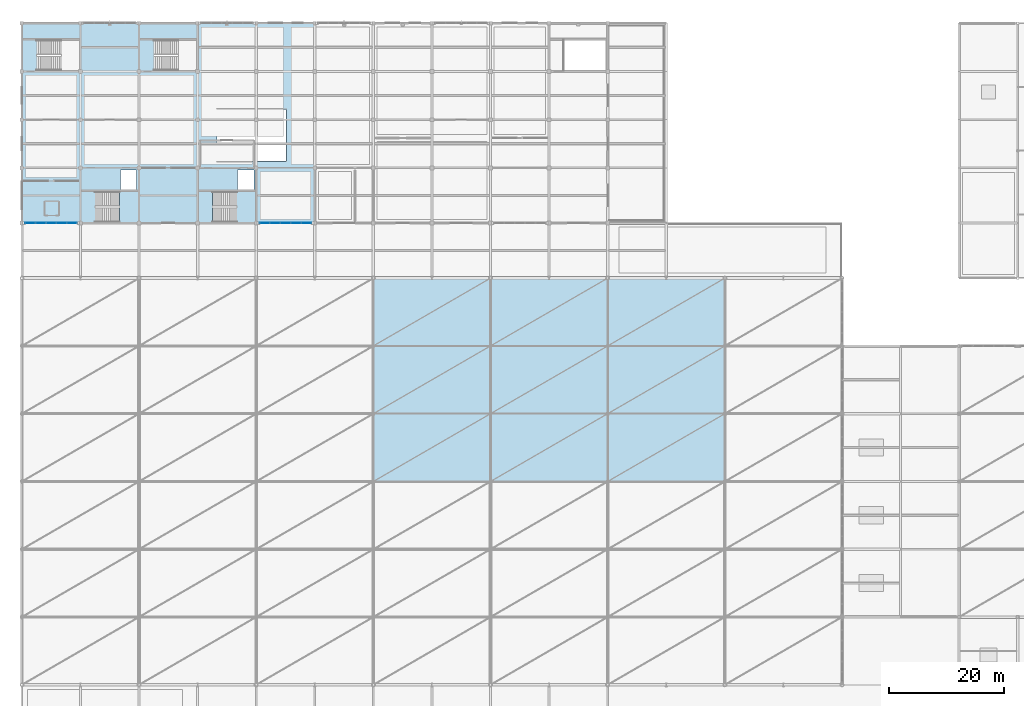
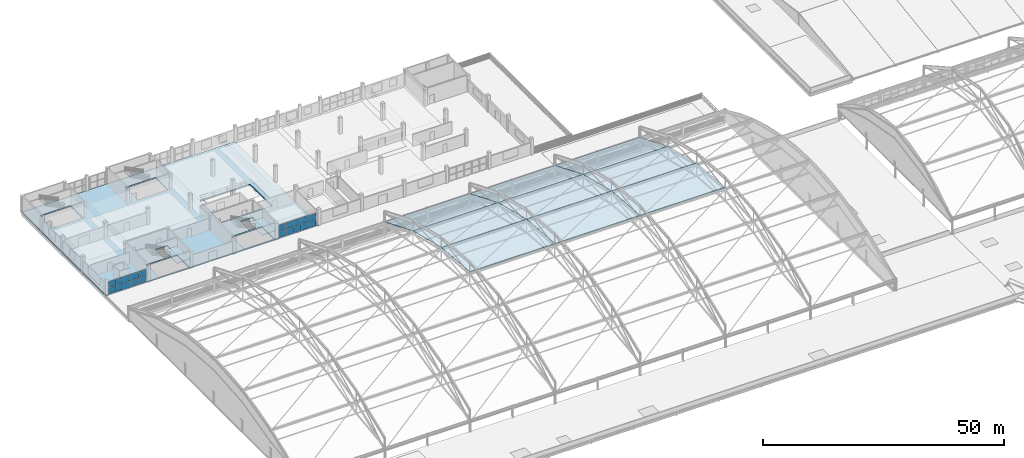
# One storey, part 108 of 135: 20 plates, 12 slabs, 4 elements without a shape of their own.
"""IFC4 building model written with IfcOpenShell, lengths in metres."""

from ifc_helpers import new_model, si_unit, direction, frame, origin, origin_2d, place, context, subcontext, project, spatial, polyline, rectangle, outline, extrude, material, layer, layer_set, type_object, element, aggregate, save


model = new_model("IFC4")

# Units and contexts
model_context = context("Model", 3, precision=1e-05, world=origin(), true_north=direction((0.0, 1.0)))
body_context = subcontext(model_context, "Body", "Model", "MODEL_VIEW")
ifc_project = project(units=[si_unit("LENGTHUNIT", "METRE"), si_unit("AREAUNIT", "SQUARE_METRE"), si_unit("VOLUMEUNIT", "CUBIC_METRE"), si_unit("PLANEANGLEUNIT", "RADIAN"), si_unit("MASSUNIT", "GRAM", prefix="KILO")], contexts=[model_context])

# Site, building, storey
site_placement = place(None, origin())
site = spatial("IfcSite", under=ifc_project, at=site_placement, CompositionType="ELEMENT")
building_placement = place(site_placement, origin())
building = spatial("IfcBuilding", under=site, at=building_placement, Name="Brelvane Convention Centre", CompositionType="ELEMENT")
storey_placement = place(building_placement, frame((0.0, 0.0, 15.0)))
storey = spatial("IfcBuildingStorey", under=building, at=storey_placement, Name="L03", CompositionType="ELEMENT", Elevation=15.0)

# Curtain wall, plates
ifc_material_1 = material(Name="Anodised Aluminium Alloy 6063-T6", Category="aluminium")
curtain_wall_type = type_object("IfcCurtainWallType", Name="Curtain Wall CW-COURT", PredefinedType="USERDEFINED", material=ifc_material_1)
curtain_wall_1_placement = place(storey_placement, origin())
curtain_wall_1 = element("IfcCurtainWall", 1, at=curtain_wall_1_placement, inside=storey, type_object=curtain_wall_type, Name="Curtain Wall CW-COURT L03-V4S-01", ObjectType="UNITISED", PredefinedType="USERDEFINED")
ifc_material_2 = material(Name="Double Glazed Low-E Laminated Unit")
ifc_layer_1 = layer(ifc_material_2, 0.031982421875)
ifc_layer_set_1 = layer_set([ifc_layer_1], Name="Double Glazed Low-E Laminated Unit")
plate_type = type_object("IfcPlateType", Name="Curtain Panel CW-PG1", PredefinedType="CURTAIN_PANEL", material=ifc_layer_set_1)
plate_1_placement = place(storey_placement, frame((1.478759765625, 109.199951171875, 0.070068359375), z_axis=(0.0, 0.0, 1.0), x_axis=(1.0, 0.0, 0.0)))
plate_1 = element("IfcPlate", 2, at=plate_1_placement, type_object=plate_type, Name="CW-COURT panel 1.1", PredefinedType="CURTAIN_PANEL", context=body_context, shape_type="SweptSolid", body=[
    extrude(rectangle(XDim=1.70751953125, YDim=0.031982421875, at=origin_2d()), origin(), (0.0, 0.0, 1.0), 1.544921875),
])
plate_2_placement = place(storey_placement, frame((1.478759765625, 109.199951171875, 1.68505859375), z_axis=(0.0, 0.0, 1.0), x_axis=(1.0, 0.0, 0.0)))
plate_2 = element("IfcPlate", 3, at=plate_2_placement, type_object=plate_type, Name="CW-COURT panel 1.2", PredefinedType="CURTAIN_PANEL", context=body_context, shape_type="SweptSolid", body=[
    extrude(rectangle(XDim=1.70751953125, YDim=0.031982421875, at=origin_2d()), origin(), (0.0, 0.0, 1.0), 1.544921875),
])
plate_3_placement = place(storey_placement, frame((3.280029296875, 109.199951171875, 0.070068359375), z_axis=(0.0, 0.0, 1.0), x_axis=(1.0, 0.0, 0.0)))
plate_3 = element("IfcPlate", 4, at=plate_3_placement, type_object=plate_type, Name="CW-COURT panel 2.1", PredefinedType="CURTAIN_PANEL", context=body_context, shape_type="SweptSolid", body=[
    extrude(rectangle(XDim=1.7451171875, YDim=0.031982421875, at=origin_2d()), origin(), (0.0, 0.0, 1.0), 1.544921875),
])
plate_4_placement = place(storey_placement, frame((3.280029296875, 109.199951171875, 1.68505859375), z_axis=(0.0, 0.0, 1.0), x_axis=(1.0, 0.0, 0.0)))
plate_4 = element("IfcPlate", 5, at=plate_4_placement, type_object=plate_type, Name="CW-COURT panel 2.2", PredefinedType="CURTAIN_PANEL", context=body_context, shape_type="SweptSolid", body=[
    extrude(rectangle(XDim=1.7451171875, YDim=0.031982421875, at=origin_2d()), origin(), (0.0, 0.0, 1.0), 1.544921875),
])
plate_5_placement = place(storey_placement, frame((5.10009765625, 109.199951171875, 0.070068359375), z_axis=(0.0, 0.0, 1.0), x_axis=(1.0, 0.0, 0.0)))
plate_5 = element("IfcPlate", 6, at=plate_5_placement, type_object=plate_type, Name="CW-COURT panel 3.1", PredefinedType="CURTAIN_PANEL", context=body_context, shape_type="SweptSolid", body=[
    extrude(rectangle(XDim=1.7451171875, YDim=0.031982421875, at=origin_2d()), origin(), (0.0, 0.0, 1.0), 1.544921875),
])
plate_6_placement = place(storey_placement, frame((5.10009765625, 109.199951171875, 1.68505859375), z_axis=(0.0, 0.0, 1.0), x_axis=(1.0, 0.0, 0.0)))
plate_6 = element("IfcPlate", 7, at=plate_6_placement, type_object=plate_type, Name="CW-COURT panel 3.2", PredefinedType="CURTAIN_PANEL", context=body_context, shape_type="SweptSolid", body=[
    extrude(rectangle(XDim=1.7451171875, YDim=0.031982421875, at=origin_2d()), origin(), (0.0, 0.0, 1.0), 1.544921875),
])
plate_7_placement = place(storey_placement, frame((6.919921875, 109.199951171875, 0.070068359375), z_axis=(0.0, 0.0, 1.0), x_axis=(1.0, 0.0, 0.0)))
plate_7 = element("IfcPlate", 8, at=plate_7_placement, type_object=plate_type, Name="CW-COURT panel 4.1", PredefinedType="CURTAIN_PANEL", context=body_context, shape_type="SweptSolid", body=[
    extrude(rectangle(XDim=1.7451171875, YDim=0.031982421875, at=origin_2d()), origin(), (0.0, 0.0, 1.0), 1.544921875),
])
plate_8_placement = place(storey_placement, frame((6.919921875, 109.199951171875, 1.68505859375), z_axis=(0.0, 0.0, 1.0), x_axis=(1.0, 0.0, 0.0)))
plate_8 = element("IfcPlate", 9, at=plate_8_placement, type_object=plate_type, Name="CW-COURT panel 4.2", PredefinedType="CURTAIN_PANEL", context=body_context, shape_type="SweptSolid", body=[
    extrude(rectangle(XDim=1.7451171875, YDim=0.031982421875, at=origin_2d()), origin(), (0.0, 0.0, 1.0), 1.544921875),
])
plate_9_placement = place(storey_placement, frame((8.72119140625, 109.199951171875, 0.070068359375), z_axis=(0.0, 0.0, 1.0), x_axis=(1.0, 0.0, 0.0)))
plate_9 = element("IfcPlate", 10, at=plate_9_placement, type_object=plate_type, Name="CW-COURT panel 5.1", PredefinedType="CURTAIN_PANEL", context=body_context, shape_type="SweptSolid", body=[
    extrude(rectangle(XDim=1.70751953125, YDim=0.031982421875, at=origin_2d()), origin(), (0.0, 0.0, 1.0), 1.544921875),
])
plate_10_placement = place(storey_placement, frame((8.72119140625, 109.199951171875, 1.68505859375), z_axis=(0.0, 0.0, 1.0), x_axis=(1.0, 0.0, 0.0)))
plate_10 = element("IfcPlate", 11, at=plate_10_placement, type_object=plate_type, Name="CW-COURT panel 5.2", PredefinedType="CURTAIN_PANEL", context=body_context, shape_type="SweptSolid", body=[
    extrude(rectangle(XDim=1.70751953125, YDim=0.031982421875, at=origin_2d()), origin(), (0.0, 0.0, 1.0), 1.544921875),
])
aggregate(curtain_wall_1, [plate_1, plate_2, plate_3, plate_4, plate_5, plate_6, plate_7, plate_8, plate_9, plate_10])

curtain_wall_2_placement = place(storey_placement, origin())
curtain_wall_2 = element("IfcCurtainWall", 12, at=curtain_wall_2_placement, inside=storey, type_object=curtain_wall_type, Name="Curtain Wall CW-COURT L03-V4S-05", ObjectType="UNITISED", PredefinedType="USERDEFINED")
plate_11_placement = place(storey_placement, frame((42.27880859375, 109.199951171875, 0.070068359375), z_axis=(0.0, 0.0, 1.0), x_axis=(1.0, 0.0, 0.0)))
plate_11 = element("IfcPlate", 13, at=plate_11_placement, type_object=plate_type, Name="CW-COURT panel 1.1", PredefinedType="CURTAIN_PANEL", context=body_context, shape_type="SweptSolid", body=[
    extrude(rectangle(XDim=1.70751953125, YDim=0.031982421875, at=origin_2d()), origin(), (0.0, 0.0, 1.0), 1.544921875),
])
plate_12_placement = place(storey_placement, frame((42.27880859375, 109.199951171875, 1.68505859375), z_axis=(0.0, 0.0, 1.0), x_axis=(1.0, 0.0, 0.0)))
plate_12 = element("IfcPlate", 14, at=plate_12_placement, type_object=plate_type, Name="CW-COURT panel 1.2", PredefinedType="CURTAIN_PANEL", context=body_context, shape_type="SweptSolid", body=[
    extrude(rectangle(XDim=1.70751953125, YDim=0.031982421875, at=origin_2d()), origin(), (0.0, 0.0, 1.0), 1.544921875),
])
plate_13_placement = place(storey_placement, frame((44.080078125, 109.199951171875, 0.070068359375), z_axis=(0.0, 0.0, 1.0), x_axis=(1.0, 0.0, 0.0)))
plate_13 = element("IfcPlate", 15, at=plate_13_placement, type_object=plate_type, Name="CW-COURT panel 2.1", PredefinedType="CURTAIN_PANEL", context=body_context, shape_type="SweptSolid", body=[
    extrude(rectangle(XDim=1.7451171875, YDim=0.031982421875, at=origin_2d()), origin(), (0.0, 0.0, 1.0), 1.544921875),
])
plate_14_placement = place(storey_placement, frame((44.080078125, 109.199951171875, 1.68505859375), z_axis=(0.0, 0.0, 1.0), x_axis=(1.0, 0.0, 0.0)))
plate_14 = element("IfcPlate", 16, at=plate_14_placement, type_object=plate_type, Name="CW-COURT panel 2.2", PredefinedType="CURTAIN_PANEL", context=body_context, shape_type="SweptSolid", body=[
    extrude(rectangle(XDim=1.7451171875, YDim=0.031982421875, at=origin_2d()), origin(), (0.0, 0.0, 1.0), 1.544921875),
])
plate_15_placement = place(storey_placement, frame((45.89990234375, 109.199951171875, 0.070068359375), z_axis=(0.0, 0.0, 1.0), x_axis=(1.0, 0.0, 0.0)))
plate_15 = element("IfcPlate", 17, at=plate_15_placement, type_object=plate_type, Name="CW-COURT panel 3.1", PredefinedType="CURTAIN_PANEL", context=body_context, shape_type="SweptSolid", body=[
    extrude(rectangle(XDim=1.7451171875, YDim=0.031982421875, at=origin_2d()), origin(), (0.0, 0.0, 1.0), 1.544921875),
])
plate_16_placement = place(storey_placement, frame((45.89990234375, 109.199951171875, 1.68505859375), z_axis=(0.0, 0.0, 1.0), x_axis=(1.0, 0.0, 0.0)))
plate_16 = element("IfcPlate", 18, at=plate_16_placement, type_object=plate_type, Name="CW-COURT panel 3.2", PredefinedType="CURTAIN_PANEL", context=body_context, shape_type="SweptSolid", body=[
    extrude(rectangle(XDim=1.7451171875, YDim=0.031982421875, at=origin_2d()), origin(), (0.0, 0.0, 1.0), 1.544921875),
])
plate_17_placement = place(storey_placement, frame((47.719970703125, 109.199951171875, 0.070068359375), z_axis=(0.0, 0.0, 1.0), x_axis=(1.0, 0.0, 0.0)))
plate_17 = element("IfcPlate", 19, at=plate_17_placement, type_object=plate_type, Name="CW-COURT panel 4.1", PredefinedType="CURTAIN_PANEL", context=body_context, shape_type="SweptSolid", body=[
    extrude(rectangle(XDim=1.7451171875, YDim=0.031982421875, at=origin_2d()), origin(), (0.0, 0.0, 1.0), 1.544921875),
])
plate_18_placement = place(storey_placement, frame((47.719970703125, 109.199951171875, 1.68505859375), z_axis=(0.0, 0.0, 1.0), x_axis=(1.0, 0.0, 0.0)))
plate_18 = element("IfcPlate", 20, at=plate_18_placement, type_object=plate_type, Name="CW-COURT panel 4.2", PredefinedType="CURTAIN_PANEL", context=body_context, shape_type="SweptSolid", body=[
    extrude(rectangle(XDim=1.7451171875, YDim=0.031982421875, at=origin_2d()), origin(), (0.0, 0.0, 1.0), 1.544921875),
])
plate_19_placement = place(storey_placement, frame((49.521240234375, 109.199951171875, 0.070068359375), z_axis=(0.0, 0.0, 1.0), x_axis=(1.0, 0.0, 0.0)))
plate_19 = element("IfcPlate", 21, at=plate_19_placement, type_object=plate_type, Name="CW-COURT panel 5.1", PredefinedType="CURTAIN_PANEL", context=body_context, shape_type="SweptSolid", body=[
    extrude(rectangle(XDim=1.70751953125, YDim=0.031982421875, at=origin_2d()), origin(), (0.0, 0.0, 1.0), 1.544921875),
])
plate_20_placement = place(storey_placement, frame((49.521240234375, 109.199951171875, 1.68505859375), z_axis=(0.0, 0.0, 1.0), x_axis=(1.0, 0.0, 0.0)))
plate_20 = element("IfcPlate", 22, at=plate_20_placement, type_object=plate_type, Name="CW-COURT panel 5.2", PredefinedType="CURTAIN_PANEL", context=body_context, shape_type="SweptSolid", body=[
    extrude(rectangle(XDim=1.70751953125, YDim=0.031982421875, at=origin_2d()), origin(), (0.0, 0.0, 1.0), 1.544921875),
])
aggregate(curtain_wall_2, [plate_11, plate_12, plate_13, plate_14, plate_15, plate_16, plate_17, plate_18, plate_19, plate_20])

# Stair, slab
ifc_material_3 = material(Name="Concrete M40", Category="concrete")
stair_type = type_object("IfcStairType", Name="Exit Stair ST-CORE", PredefinedType="HALF_TURN_STAIR", material=ifc_material_3)
stair_1_placement = place(storey_placement, origin())
stair_1 = element("IfcStair", 23, at=stair_1_placement, inside=storey, type_object=stair_type, Name="Exit Stair ST-06 (L03 to L04)", PredefinedType="HALF_TURN_STAIR")
ifc_material_4 = material(Name="Concrete M40", Category="concrete")
ifc_layer_2 = layer(ifc_material_4, 0.199951171875)
ifc_layer_set_2 = layer_set([ifc_layer_2], Name="Concrete M40")
slab_type_1 = type_object("IfcSlabType", Name="Stair Landing SL-LND-200", PredefinedType="LANDING", material=ifc_layer_set_2)
slab_1_placement = place(storey_placement, frame((0.0, 0.0, 1.89990234375)))
slab_1 = element("IfcSlab", 24, at=slab_1_placement, type_object=slab_type_1, Name="Stair ST-06 L03 Half Landing", PredefinedType="LANDING", context=body_context, shape_type="SweptSolid", body=[
    extrude(outline(polyline([(17.010009765625, 109.280029296875), (20.320068359375, 109.280029296875), (20.320068359375, 114.719970703125), (17.010009765625, 114.719970703125), (17.010009765625, 109.280029296875)])), origin(), (0.0, 0.0, 1.0), 0.2001953125),
])
aggregate(stair_1, [slab_1])

stair_2_placement = place(storey_placement, origin())
stair_2 = element("IfcStair", 25, at=stair_2_placement, inside=storey, type_object=stair_type, Name="Exit Stair ST-07 (L03 to L04)", PredefinedType="HALF_TURN_STAIR")
slab_2_placement = place(storey_placement, frame((0.0, 0.0, 1.89990234375)))
slab_2 = element("IfcSlab", 26, at=slab_2_placement, type_object=slab_type_1, Name="Stair ST-07 L03 Half Landing", PredefinedType="LANDING", context=body_context, shape_type="SweptSolid", body=[
    extrude(outline(polyline([(37.409912109375, 109.280029296875), (40.719970703125, 109.280029296875), (40.719970703125, 114.719970703125), (37.409912109375, 114.719970703125), (37.409912109375, 109.280029296875)])), origin(), (0.0, 0.0, 1.0), 0.2001953125),
])
aggregate(stair_2, [slab_2])

# Slabs
ifc_material_5 = material(Name="Concrete M40", Category="concrete")
ifc_layer_3 = layer(ifc_material_5, 0.294921875)
ifc_layer_set_3 = layer_set([ifc_layer_3], Name="Concrete M40")
slab_type_2 = type_object("IfcSlabType", Name="Structural Slab SL-FLR-295", PredefinedType="FLOOR", material=ifc_layer_set_3)
slab_3_placement = place(storey_placement, frame((0.0, 0.0, -0.294921875)))
element("IfcSlab", 27, at=slab_3_placement, inside=storey, type_object=slab_type_2, Name="L03 Floor Slab MEET-W", PredefinedType="FLOOR", context=body_context, shape_type="SweptSolid", body=[
    extrude(outline(polyline([(0.0, 109.199951171875), (51.0, 109.199951171875), (51.0, 144.0), (0.0, 144.0), (0.0, 109.199951171875)]), holes=[polyline([(12.800048828125, 109.449951171875), (20.050048828125, 109.449951171875), (20.050048828125, 114.550048828125), (12.800048828125, 114.550048828125), (12.800048828125, 109.449951171875)]), polyline([(17.14990234375, 115.050048828125), (20.0, 115.050048828125), (20.0, 118.449951171875), (17.14990234375, 118.449951171875), (17.14990234375, 115.050048828125)]), polyline([(33.199951171875, 109.449951171875), (40.449951171875, 109.449951171875), (40.449951171875, 114.550048828125), (33.199951171875, 114.550048828125), (33.199951171875, 109.449951171875)]), polyline([(37.550048828125, 115.050048828125), (40.39990234375, 115.050048828125), (40.39990234375, 118.449951171875), (37.550048828125, 118.449951171875), (37.550048828125, 115.050048828125)]), polyline([(23.0, 135.85009765625), (30.25, 135.85009765625), (30.25, 140.949951171875), (23.0, 140.949951171875), (23.0, 135.85009765625)]), polyline([(2.60009765625, 135.85009765625), (9.85009765625, 135.85009765625), (9.85009765625, 140.949951171875), (2.60009765625, 140.949951171875), (2.60009765625, 135.85009765625)]), polyline([(34.0, 120.0), (46.0, 120.0), (46.0, 129.0), (34.0, 129.0), (34.0, 120.0)])]), origin(), (0.0, 0.0, 1.0), 0.294921875),
])
ifc_material_6 = material(Name="Steel E350 (350 MPa)", Category="steel")
ifc_layer_4 = layer(ifc_material_6, 0.179931640625)
ifc_layer_set_4 = layer_set([ifc_layer_4], Name="Steel E350 (350 MPa)")
slab_type_3 = type_object("IfcSlabType", Name="Structural Slab SL-ROOF-SF-180", PredefinedType="ROOF", material=ifc_layer_set_4)
slab_4_placement = place(storey_placement, frame((61.219970703125, 64.239990234375, 11.800048828125), z_axis=(0.0, 0.082583310202, 0.996584164472), x_axis=(1.0, 0.0, 0.0)))
element("IfcSlab", 28, at=slab_4_placement, inside=storey, type_object=slab_type_3, Name="SF_EXH Space-Frame Roof Panel B4-F4", PredefinedType="ROOF", context=body_context, shape_type="SweptSolid", body=[
    extrude(outline(polyline([(0.0, 0.0), (20.360107421875, 0.0), (20.360107421875, 11.760141411976395), (0.0, 11.760141411976395), (0.0, 0.0)])), origin(), (0.0, 0.0, -1.0), 0.179931640625),
])
slab_5_placement = place(storey_placement, frame((61.219970703125, 76.0400390625, 10.815673828125), z_axis=(0.0, 0.24125587014, 0.970461542321), x_axis=(1.0, 0.0, 0.0)))
element("IfcSlab", 29, at=slab_5_placement, inside=storey, type_object=slab_type_3, Name="SF_EXH Space-Frame Roof Panel B4-F5", PredefinedType="ROOF", context=body_context, shape_type="SweptSolid", body=[
    extrude(outline(polyline([(0.0, 0.0), (20.360107421875, 0.0), (20.360107421875, 12.076697727867208), (0.0, 12.076697727867208), (0.0, 0.0)])), origin(), (0.0, 0.0, -1.0), 0.179931640625),
])
slab_6_placement = place(storey_placement, frame((61.219970703125, 87.840087890625, 7.87548828125), z_axis=(0.0, 0.382743847584, 0.923854505394), x_axis=(1.0, 0.0, 0.0)))
element("IfcSlab", 30, at=slab_6_placement, inside=storey, type_object=slab_type_3, Name="SF_EXH Space-Frame Roof Panel B4-F6", PredefinedType="ROOF", context=body_context, shape_type="SweptSolid", body=[
    extrude(outline(polyline([(0.0, 0.0), (20.360107421875, 0.0), (20.360107421875, 12.685948528365344), (0.0, 12.685948528365344), (0.0, 0.0)])), origin(), (0.0, 0.0, -1.0), 0.179931640625),
])
slab_7_placement = place(storey_placement, frame((81.6201171875, 64.239990234375, 11.800048828125), z_axis=(0.0, 0.082583310202, 0.996584164472), x_axis=(1.0, 0.0, 0.0)))
element("IfcSlab", 31, at=slab_7_placement, inside=storey, type_object=slab_type_3, Name="SF_EXH Space-Frame Roof Panel B5-F4", PredefinedType="ROOF", context=body_context, shape_type="SweptSolid", body=[
    extrude(outline(polyline([(0.0, 0.0), (20.35986328125, 0.0), (20.35986328125, 11.760141411976395), (0.0, 11.760141411976395), (0.0, 0.0)])), origin(), (0.0, 0.0, -1.0), 0.179931640625),
])
slab_8_placement = place(storey_placement, frame((81.6201171875, 76.0400390625, 10.815673828125), z_axis=(0.0, 0.24125587014, 0.970461542321), x_axis=(1.0, 0.0, 0.0)))
element("IfcSlab", 32, at=slab_8_placement, inside=storey, type_object=slab_type_3, Name="SF_EXH Space-Frame Roof Panel B5-F5", PredefinedType="ROOF", context=body_context, shape_type="SweptSolid", body=[
    extrude(outline(polyline([(0.0, 0.0), (20.35986328125, 0.0), (20.35986328125, 12.07669772786721), (0.0, 12.07669772786721), (0.0, 0.0)])), origin(), (0.0, 0.0, -1.0), 0.179931640625),
])
slab_9_placement = place(storey_placement, frame((81.6201171875, 87.840087890625, 7.87548828125), z_axis=(0.0, 0.382743847584, 0.923854505394), x_axis=(1.0, 0.0, 0.0)))
element("IfcSlab", 33, at=slab_9_placement, inside=storey, type_object=slab_type_3, Name="SF_EXH Space-Frame Roof Panel B5-F6", PredefinedType="ROOF", context=body_context, shape_type="SweptSolid", body=[
    extrude(outline(polyline([(0.0, 0.0), (20.35986328125, 0.0), (20.35986328125, 12.685948528365344), (0.0, 12.685948528365344), (0.0, 0.0)])), origin(), (0.0, 0.0, -1.0), 0.179931640625),
])
slab_10_placement = place(storey_placement, frame((102.02001953125, 64.239990234375, 11.800048828125), z_axis=(0.0, 0.082583310202, 0.996584164472), x_axis=(1.0, 0.0, 0.0)))
element("IfcSlab", 34, at=slab_10_placement, inside=storey, type_object=slab_type_3, Name="SF_EXH Space-Frame Roof Panel B6-F4", PredefinedType="ROOF", context=body_context, shape_type="SweptSolid", body=[
    extrude(outline(polyline([(0.0, 0.0), (20.35986328125, 0.0), (20.35986328125, 11.760141411976395), (0.0, 11.760141411976395), (0.0, 0.0)])), origin(), (0.0, 0.0, -1.0), 0.179931640625),
])
slab_11_placement = place(storey_placement, frame((102.02001953125, 76.0400390625, 10.815673828125), z_axis=(0.0, 0.24125587014, 0.970461542321), x_axis=(1.0, 0.0, 0.0)))
element("IfcSlab", 35, at=slab_11_placement, inside=storey, type_object=slab_type_3, Name="SF_EXH Space-Frame Roof Panel B6-F5", PredefinedType="ROOF", context=body_context, shape_type="SweptSolid", body=[
    extrude(outline(polyline([(0.0, 0.0), (20.35986328125, 0.0), (20.35986328125, 12.07669772786721), (0.0, 12.07669772786721), (0.0, 0.0)])), origin(), (0.0, 0.0, -1.0), 0.179931640625),
])
slab_12_placement = place(storey_placement, frame((102.02001953125, 87.840087890625, 7.87548828125), z_axis=(0.0, 0.382743847584, 0.923854505394), x_axis=(1.0, 0.0, 0.0)))
element("IfcSlab", 36, at=slab_12_placement, inside=storey, type_object=slab_type_3, Name="SF_EXH Space-Frame Roof Panel B6-F6", PredefinedType="ROOF", context=body_context, shape_type="SweptSolid", body=[
    extrude(outline(polyline([(0.0, 0.0), (20.35986328125, 0.0), (20.35986328125, 12.685948528365344), (0.0, 12.685948528365344), (0.0, 0.0)])), origin(), (0.0, 0.0, -1.0), 0.179931640625),
])

save(model, "model.ifc")
